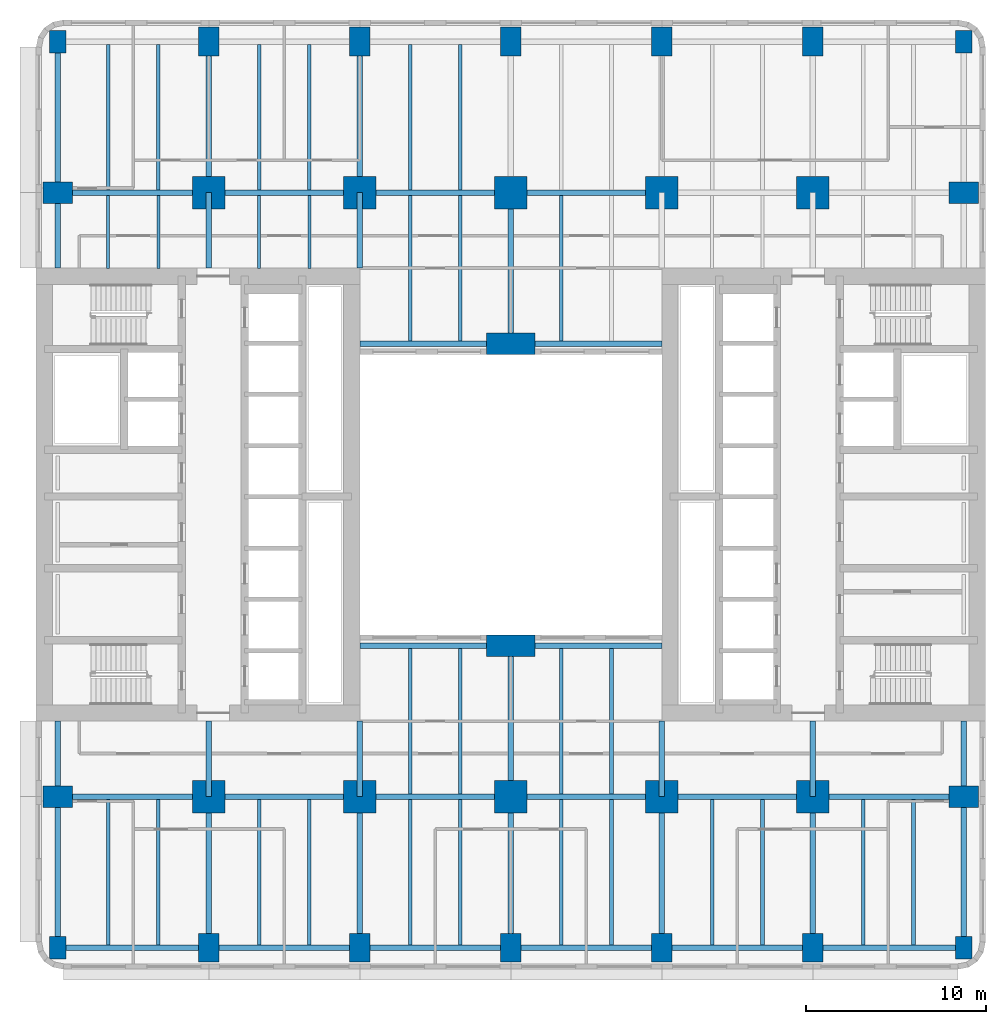
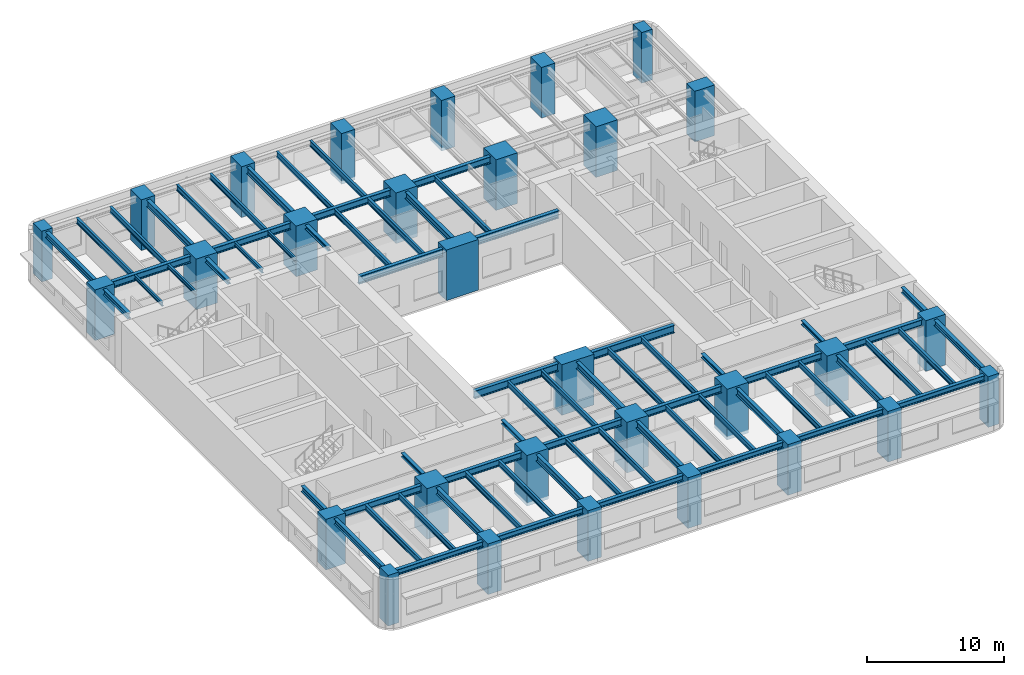
# One storey, part 1 of 14: 70 beams, 30 columns.
"""IFC4 building model written with IfcOpenShell, lengths in metres."""

import ifcopenshell
import ifcopenshell.guid

model = None  # the IFC model being written
_history = None  # IfcOwnerHistory: only IFC2X3 demands one
_inside = {}  # id of a spatial element -> (the spatial element, [elements in it])
_under = {}  # id of a project, library or spatial element -> (it, [spatial elements below it])
_declared = {}  # id of a project -> (the project, [libraries it declares])
_typed = {}  # id of a type object -> (the type object, [elements of that type])
_made_of = {}  # id of a material, layer set ... -> (it, [elements and type objects made of it])


def new_model(schema):
    """Start an empty IFC model of exactly this schema.

    Asked for "IFC4X3", IfcOpenShell would pick the latest addendum, in which some entities
    have other attributes; the version numbers below select the first issue.
    IFC2X3 requires an IfcOwnerHistory on every rooted entity: one is made here for all.
    """
    global model, _history
    if schema == "IFC4X3":
        model = ifcopenshell.file(schema_version=(4, 3, 0, 0))
    else:
        model = ifcopenshell.file(schema=schema)
    _inside.clear()
    _under.clear()
    _declared.clear()
    _typed.clear()
    _made_of.clear()
    _history = None
    if model.schema == "IFC2X3":
        org = make("IfcOrganization", Name="unknown")
        user = make(
            "IfcPersonAndOrganization",
            ThePerson=make("IfcPerson", FamilyName="unknown"),
            TheOrganization=org,
        )
        app = make(
            "IfcApplication",
            ApplicationDeveloper=org,
            Version="unknown",
            ApplicationFullName="unknown",
            ApplicationIdentifier="unknown",
        )
        _history = make(
            "IfcOwnerHistory",
            OwningUser=user,
            OwningApplication=app,
            ChangeAction="ADDED",
            CreationDate=0,
        )
    return model


def make(cls, **values):
    """One entity of the class cls with the attributes given. An attribute that is None is left unset."""
    return model.create_entity(
        cls, **{name: value for name, value in values.items() if value is not None}
    )


def rooted(cls, **values):
    """An entity with a GlobalId (a new one), such as an element, a storey or a relation."""
    return make(cls, GlobalId=ifcopenshell.guid.new(), OwnerHistory=_history, **values)


def si_unit(unit_type, name, prefix=None):
    """IfcSIUnit, for example si_unit("LENGTHUNIT", "METRE", prefix="MILLI")."""
    return make("IfcSIUnit", UnitType=unit_type, Prefix=prefix, Name=name)


def assignment(units):
    """IfcUnitAssignment: the units of a project."""
    return None if units is None else make("IfcUnitAssignment", Units=units)


def point(xyz):
    """IfcCartesianPoint."""
    return None if xyz is None else make("IfcCartesianPoint", Coordinates=xyz)


def direction(xyz):
    """IfcDirection."""
    return None if xyz is None else make("IfcDirection", DirectionRatios=xyz)


def frame(location, z_axis=None, x_axis=None):
    """IfcAxis2Placement3D, a coordinate frame: its origin and axes. An axis left out is left unset."""
    return make(
        "IfcAxis2Placement3D",
        Location=point(location),
        Axis=direction(z_axis),
        RefDirection=direction(x_axis),
    )


def frame_2d(location, x_axis=None):
    """IfcAxis2Placement2D, a coordinate frame in the plane: its origin and x axis."""
    return make(
        "IfcAxis2Placement2D", Location=point(location), RefDirection=direction(x_axis)
    )


def origin():
    """The frame at (0, 0, 0) with its axes left unset."""
    return frame((0.0, 0.0, 0.0))


def origin_2d():
    """The frame at (0, 0) in the plane with its x axis left unset."""
    return frame_2d((0.0, 0.0))


def place(relative_to, where):
    """IfcLocalPlacement: puts the frame where relative to a parent placement (None: the world)."""
    return make(
        "IfcLocalPlacement", PlacementRelTo=relative_to, RelativePlacement=where
    )


def context(
    kind, dimensions, precision=None, world=None, true_north=None, identifier=None
):
    """IfcGeometricRepresentationContext, for example the 3D "Model" context."""
    return make(
        "IfcGeometricRepresentationContext",
        ContextIdentifier=identifier,
        ContextType=kind,
        CoordinateSpaceDimension=dimensions,
        Precision=precision,
        WorldCoordinateSystem=world,
        TrueNorth=true_north,
    )


def subcontext(parent, identifier, kind, view, scale=None):
    """IfcGeometricRepresentationSubContext, for example "Body" below "Model"."""
    return make(
        "IfcGeometricRepresentationSubContext",
        ContextIdentifier=identifier,
        ContextType=kind,
        ParentContext=parent,
        TargetScale=scale,
        TargetView=view,
    )


def project(units=None, contexts=None):
    """IfcProject with its units and contexts."""
    return rooted(
        "IfcProject",
        Name="project",
        RepresentationContexts=contexts,
        UnitsInContext=assignment(units),
    )


def spatial(cls, under=None, at=None, **own):
    """A site, building, storey or space (cls), placed at a placement, below another one or the project."""
    s = rooted(cls, ObjectPlacement=at, **own)
    if under is not None:
        _under.setdefault(under.id(), (under, []))[1].append(s)
    return s


def profile(cls, at=None, kind="AREA", **sizes):
    """A parametric profile (cls). Its sizes go by their IFC names, for example OverallWidth=200.0."""
    return make(cls, ProfileType=kind, Position=at, **sizes)


def rectangle(**sizes):
    """IfcRectangleProfileDef."""
    return profile("IfcRectangleProfileDef", **sizes)


def i_section(**sizes):
    """IfcIShapeProfileDef."""
    return profile("IfcIShapeProfileDef", **sizes)


def extrude(swept, where, along, depth):
    """IfcExtrudedAreaSolid: the profile swept, set in the frame where, extruded along a direction by depth."""
    return make(
        "IfcExtrudedAreaSolid",
        SweptArea=swept,
        Position=where,
        ExtrudedDirection=direction(along),
        Depth=depth,
    )


def shape(context_of_items, identifier, shape_type, items):
    """IfcShapeRepresentation: the items that make up one representation, for example the "Body"."""
    return make(
        "IfcShapeRepresentation",
        ContextOfItems=context_of_items,
        RepresentationIdentifier=identifier,
        RepresentationType=shape_type,
        Items=items,
    )


def material(Name=None, Category=None):
    """IfcMaterial."""
    return make("IfcMaterial", Name=Name, Category=Category)


def material_profile(
    of_material, cross_section, Name=None, Category=None, Priority=None
):
    """IfcMaterialProfile: a cross section and its material."""
    return make(
        "IfcMaterialProfile",
        Name=Name,
        Material=of_material,
        Profile=cross_section,
        Priority=Priority,
        Category=Category,
    )


def profile_set(profiles, Name=None, composite=None):
    """IfcMaterialProfileSet."""
    return make(
        "IfcMaterialProfileSet",
        Name=Name,
        MaterialProfiles=profiles,
        CompositeProfile=composite,
    )


def made_of(thing, what):
    """Note that an element or type object is made of a material, layer set ...; save() writes the relation."""
    if what is not None:
        _made_of.setdefault(what.id(), (what, []))[1].append(thing)
    return thing


def type_object(cls, material=None, **own):
    """A type object (cls), such as IfcWallType, which elements share."""
    return made_of(rooted(cls, **own), material)


def element(
    cls,
    number,
    at=None,
    inside=None,
    cuts=None,
    type_object=None,
    material=None,
    context=None,
    identifier="Body",
    shape_type=None,
    held_by="IfcProductDefinitionShape",
    body=None,
    shapes=None,
    **own,
):
    """One element of the class cls, such as IfcWall. Its Tag is "e" and its number.

    at: its placement. inside: the storey or other place that contains it. cuts: it is an
    opening in that element (IfcRelVoidsElement). A single representation is given by context,
    identifier, shape_type and body (its items); several are given by shapes. held_by: the class
    of the entity that holds the representations. save() writes the other relations.
    """
    e = rooted(cls, Tag="e%d" % number, ObjectPlacement=at, **own)
    if body is not None:
        shapes = [shape(context, identifier, shape_type, body)]
    if shapes is not None:
        e.Representation = make(held_by, Representations=shapes)
    if inside is not None:
        _inside.setdefault(inside.id(), (inside, []))[1].append(e)
    if cuts is not None:
        rooted(
            "IfcRelVoidsElement", RelatingBuildingElement=cuts, RelatedOpeningElement=e
        )
    if type_object is not None:
        _typed.setdefault(type_object.id(), (type_object, []))[1].append(e)
    return made_of(e, material)


def aggregate(whole, parts):
    """IfcRelAggregates: a whole, such as a stair, and the parts it consists of."""
    return rooted("IfcRelAggregates", RelatingObject=whole, RelatedObjects=parts)


def save(model, path):
    """Write the relations noted so far, then the file.

    IfcRelAggregates (storeys below a building ...), IfcRelContainedInSpatialStructure (elements
    in a storey), IfcRelDefinesByType, IfcRelAssociatesMaterial and IfcRelDeclares: one each for
    every whole, place, type object, material and project.
    """
    for whole, parts in _under.values():
        aggregate(whole, parts)
    for where, things in _inside.values():
        rooted(
            "IfcRelContainedInSpatialStructure",
            RelatedElements=things,
            RelatingStructure=where,
        )
    for kind, things in _typed.values():
        rooted("IfcRelDefinesByType", RelatedObjects=things, RelatingType=kind)
    for what, things in _made_of.values():
        rooted("IfcRelAssociatesMaterial", RelatedObjects=things, RelatingMaterial=what)
    for by, libraries in _declared.values():
        rooted("IfcRelDeclares", RelatingContext=by, RelatedDefinitions=libraries)
    model.write(path)


model = new_model("IFC4")

# Units and contexts
model_context = context("Model", 3, precision=1e-05, world=origin(), true_north=direction((0.0, 1.0)))
body_context = subcontext(model_context, "Body", "Model", "MODEL_VIEW")
ifc_project = project(units=[si_unit("LENGTHUNIT", "METRE"), si_unit("AREAUNIT", "SQUARE_METRE"), si_unit("VOLUMEUNIT", "CUBIC_METRE"), si_unit("PLANEANGLEUNIT", "RADIAN"), si_unit("MASSUNIT", "GRAM", prefix="KILO")], contexts=[model_context])

# Site, building, storey
site_placement = place(None, origin())
site = spatial("IfcSite", under=ifc_project, at=site_placement, CompositionType="ELEMENT")
building_placement = place(site_placement, origin())
building = spatial("IfcBuilding", under=site, at=building_placement, Name="Claustro Exchange Tower", CompositionType="ELEMENT")
storey_placement = place(building_placement, frame((0.0, 0.0, 77.39990234375)))
storey = spatial("IfcBuildingStorey", under=building, at=storey_placement, Name="L17", CompositionType="ELEMENT", Elevation=77.39990234375)

# Columns
ifc_material_1 = material(Name="Concrete HA-70 (C70/85)", Category="concrete")
ifc_material_profile_1 = material_profile(ifc_material_1, rectangle(XDim=1.800048828125, YDim=1.800048828125, at=origin_2d()), Name="RC 1800x1800")
ifc_profile_set_1 = profile_set([ifc_material_profile_1], Name="Concrete HA-70 (C70/85)")
column_type_1 = type_object("IfcColumnType", Name="C14 RC 1800x1800 HA-70 column", PredefinedType="COLUMN", material=ifc_profile_set_1)
for number, where, z_axis, x_axis, name in (
    (1, (8.39990234375, 8.39990234375, 0.0), (0.0, 0.0, 1.0), (1.0, 0.0, 0.0), "Column C14 2/B L17"),
    (2, (8.39990234375, 42.0, 0.0), (0.0, 0.0, 1.0), (1.0, 0.0, 0.0), "Column C14 2/F L17"),
    (3, (16.800048828125, 8.39990234375, 0.0), (0.0, 0.0, 1.0), (1.0, 0.0, 0.0), "Column C14 3/B L17"),
    (4, (16.800048828125, 42.0, 0.0), (0.0, 0.0, 1.0), (1.0, 0.0, 0.0), "Column C14 3/F L17"),
    (5, (25.199951171875, 8.39990234375, 0.0), (0.0, 0.0, 1.0), (1.0, 0.0, 0.0), "Column C14 4/B L17"),
    (6, (25.199951171875, 42.0, 0.0), (0.0, 0.0, 1.0), (1.0, 0.0, 0.0), "Column C14 4/F L17"),
    (7, (33.60009765625, 8.39990234375, 0.0), (0.0, 0.0, 1.0), (1.0, 0.0, 0.0), "Column C14 5/B L17"),
    (8, (33.60009765625, 42.0, 0.0), (0.0, 0.0, 1.0), (1.0, 0.0, 0.0), "Column C14 5/F L17"),
    (9, (42.0, 8.39990234375, 0.0), (0.0, 0.0, 1.0), (1.0, 0.0, 0.0), "Column C14 6/B L17"),
    (10, (42.0, 42.0, 0.0), (0.0, 0.0, 1.0), (1.0, 0.0, 0.0), "Column C14 6/F L17"),
):
    element("IfcColumn", number, at=place(storey_placement, frame(where, z_axis=z_axis, x_axis=x_axis)), inside=storey, type_object=column_type_1, Name=name, PredefinedType="COLUMN", context=body_context, shape_type="SweptSolid", body=[
        extrude(rectangle(XDim=1.800048828125, YDim=1.800048828125, at=origin_2d()), origin(), (0.0, 0.0, 1.0), 4.5),
    ])
ifc_material_2 = material(Name="Concrete HA-70 (C70/85)", Category="concrete")
ifc_material_profile_2 = material_profile(ifc_material_2, rectangle(XDim=1.199951171875, YDim=1.64990234375, at=origin_2d()), Name="RC 1200x1650")
ifc_profile_set_2 = profile_set([ifc_material_profile_2], Name="Concrete HA-70 (C70/85)")
column_type_2 = type_object("IfcColumnType", Name="C19 RC 1200x1650 HA-70 perimeter column", PredefinedType="COLUMN", material=ifc_profile_set_2)
for number, where, z_axis, x_axis, name in (
    (11, (0.0, 8.39990234375, 0.0), (0.0, 0.0, 1.0), (0.0, 1.0, 0.0), "Column C19 1/B L17"),
    (12, (0.0, 42.0, 0.0), (0.0, 0.0, 1.0), (0.0, 1.0, 0.0), "Column C19 1/F L17"),
    (13, (50.39990234375, 8.39990234375, 0.0), (0.0, 0.0, 1.0), (0.0, 1.0, 0.0), "Column C19 7/B L17"),
    (14, (50.39990234375, 42.0, 0.0), (0.0, 0.0, 1.0), (0.0, 1.0, 0.0), "Column C19 7/F L17"),
):
    element("IfcColumn", number, at=place(storey_placement, frame(where, z_axis=z_axis, x_axis=x_axis)), inside=storey, type_object=column_type_2, Name=name, PredefinedType="COLUMN", context=body_context, shape_type="SweptSolid", body=[
        extrude(rectangle(XDim=1.199951171875, YDim=1.64990234375, at=origin_2d()), origin(), (0.0, 0.0, 1.0), 4.5),
    ])
ifc_material_3 = material(Name="Concrete HA-70 (C70/85)", Category="concrete")
ifc_material_profile_3 = material_profile(ifc_material_3, rectangle(XDim=1.14990234375, YDim=1.60009765625, at=origin_2d()), Name="RC 1150x1600")
ifc_profile_set_3 = profile_set([ifc_material_profile_3], Name="Concrete HA-70 (C70/85)")
column_type_3 = type_object("IfcColumnType", Name="C20 RC 1150x1600 HA-70 perimeter column", PredefinedType="COLUMN", material=ifc_profile_set_3)
for number, where, z_axis, x_axis, name in (
    (15, (8.39990234375, 0.0, 0.0), (0.0, 0.0, 1.0), (1.0, 0.0, 0.0), "Column C20 2/A L17"),
    (16, (8.39990234375, 50.39990234375, 0.0), (0.0, 0.0, 1.0), (1.0, 0.0, 0.0), "Column C20 2/G L17"),
    (17, (16.800048828125, 0.0, 0.0), (0.0, 0.0, 1.0), (1.0, 0.0, 0.0), "Column C20 3/A L17"),
    (18, (16.800048828125, 50.39990234375, 0.0), (0.0, 0.0, 1.0), (1.0, 0.0, 0.0), "Column C20 3/G L17"),
    (19, (25.199951171875, 0.0, 0.0), (0.0, 0.0, 1.0), (1.0, 0.0, 0.0), "Column C20 4/A L17"),
    (20, (25.199951171875, 50.39990234375, 0.0), (0.0, 0.0, 1.0), (1.0, 0.0, 0.0), "Column C20 4/G L17"),
    (21, (33.60009765625, 0.0, 0.0), (0.0, 0.0, 1.0), (1.0, 0.0, 0.0), "Column C20 5/A L17"),
    (22, (33.60009765625, 50.39990234375, 0.0), (0.0, 0.0, 1.0), (1.0, 0.0, 0.0), "Column C20 5/G L17"),
    (23, (42.0, 0.0, 0.0), (0.0, 0.0, 1.0), (1.0, 0.0, 0.0), "Column C20 6/A L17"),
    (24, (42.0, 50.39990234375, 0.0), (0.0, 0.0, 1.0), (1.0, 0.0, 0.0), "Column C20 6/G L17"),
):
    element("IfcColumn", number, at=place(storey_placement, frame(where, z_axis=z_axis, x_axis=x_axis)), inside=storey, type_object=column_type_3, Name=name, PredefinedType="COLUMN", context=body_context, shape_type="SweptSolid", body=[
        extrude(rectangle(XDim=1.14990234375, YDim=1.60009765625, at=origin_2d()), origin(), (0.0, 0.0, 1.0), 4.5),
    ])
ifc_material_4 = material(Name="Concrete HA-70 (C70/85)", Category="concrete")
ifc_material_profile_4 = material_profile(ifc_material_4, rectangle(XDim=2.699951171875, YDim=1.199951171875, at=origin_2d()), Name="RC 2700x1200")
ifc_profile_set_4 = profile_set([ifc_material_profile_4], Name="Concrete HA-70 (C70/85)")
column_type_4 = type_object("IfcColumnType", Name="C30 RC 2700x1200 HA-70 light well column", PredefinedType="COLUMN", material=ifc_profile_set_4)
for number, where, z_axis, x_axis, name in (
    (25, (25.199951171875, 16.800048828125, 0.0), (0.0, 0.0, 1.0), (1.0, 0.0, 0.0), "Column C30 4/C L17"),
    (26, (25.199951171875, 33.60009765625, 0.0), (0.0, 0.0, 1.0), (1.0, 0.0, 0.0), "Column C30 4/E L17"),
):
    element("IfcColumn", number, at=place(storey_placement, frame(where, z_axis=z_axis, x_axis=x_axis)), inside=storey, type_object=column_type_4, Name=name, PredefinedType="COLUMN", context=body_context, shape_type="SweptSolid", body=[
        extrude(rectangle(XDim=2.699951171875, YDim=1.199951171875, at=origin_2d()), origin(), (0.0, 0.0, 1.0), 4.5),
    ])
ifc_material_5 = material(Name="Concrete HA-70 (C70/85)", Category="concrete")
ifc_material_profile_5 = material_profile(ifc_material_5, rectangle(XDim=0.89990234375, YDim=1.25, at=origin_2d()), Name="RC 900x1250")
ifc_profile_set_5 = profile_set([ifc_material_profile_5], Name="Concrete HA-70 (C70/85)")
column_type_5 = type_object("IfcColumnType", Name="C35 RC 900x1250 HA-70 corner column", PredefinedType="COLUMN", material=ifc_profile_set_5)
for number, where, z_axis, x_axis, name in (
    (27, (0.0, 0.0, 0.0), (0.0, 0.0, 1.0), (1.0, 0.0, 0.0), "Column C35 1/A L17"),
    (28, (0.0, 50.39990234375, 0.0), (0.0, 0.0, 1.0), (1.0, 0.0, 0.0), "Column C35 1/G L17"),
    (29, (50.39990234375, 0.0, 0.0), (0.0, 0.0, 1.0), (1.0, 0.0, 0.0), "Column C35 7/A L17"),
    (30, (50.39990234375, 50.39990234375, 0.0), (0.0, 0.0, 1.0), (1.0, 0.0, 0.0), "Column C35 7/G L17"),
):
    element("IfcColumn", number, at=place(storey_placement, frame(where, z_axis=z_axis, x_axis=x_axis)), inside=storey, type_object=column_type_5, Name=name, PredefinedType="COLUMN", context=body_context, shape_type="SweptSolid", body=[
        extrude(rectangle(XDim=0.89990234375, YDim=1.25, at=origin_2d()), origin(), (0.0, 0.0, 1.0), 4.5),
    ])

# Beams
ifc_material_6 = material(Name="Steel S355", Category="steel")
ifc_material_profile_6 = material_profile(ifc_material_6, i_section(OverallWidth=0.300048828125, OverallDepth=0.60009765625, WebThickness=0.015380859375, FlangeThickness=0.030029296875, FilletRadius=0.027099609375, at=origin_2d()), Name="HE 600 B")
ifc_profile_set_6 = profile_set([ifc_material_profile_6], Name="Steel S355")
beam_type_1 = type_object("IfcBeamType", Name="B1 HE 600 B floor girder", PredefinedType="BEAM", material=ifc_profile_set_6)
for number, where, z_axis, x_axis, name in (
    (31, (8.39990234375, 0.0, 4.0400390625), (0.0, 1.0, 0.0), (-1.0, 0.0, 0.0), "Beam B1 L18"),
    (32, (8.39990234375, 42.0, 4.0400390625), (0.0, 1.0, 0.0), (-1.0, 0.0, 0.0), "Beam B1 L18"),
    (33, (16.800048828125, 0.0, 4.0400390625), (0.0, 1.0, 0.0), (-1.0, 0.0, 0.0), "Beam B1 L18"),
    (34, (16.800048828125, 42.0, 4.0400390625), (0.0, 1.0, 0.0), (-1.0, 0.0, 0.0), "Beam B1 L18"),
    (35, (25.199951171875, 0.0, 4.0400390625), (0.0, 1.0, 0.0), (-1.0, 0.0, 0.0), "Beam B1 L18"),
):
    element("IfcBeam", number, at=place(storey_placement, frame(where, z_axis=z_axis, x_axis=x_axis)), inside=storey, type_object=beam_type_1, Name=name, PredefinedType="BEAM", context=body_context, shape_type="SweptSolid", body=[
        extrude(i_section(OverallWidth=0.300048828125, OverallDepth=0.60009765625, WebThickness=0.015380859375, FlangeThickness=0.030029296875, FilletRadius=0.027099609375, at=origin_2d()), origin(), (0.0, 0.0, 1.0), 8.39990234375),
    ])
beam_1_placement = place(storey_placement, frame((25.199951171875, 8.39990234375, 4.0400390625), z_axis=(0.0, 1.0, 0.0), x_axis=(-1.0, 0.0, 0.0)))
element("IfcBeam", 36, at=beam_1_placement, inside=storey, type_object=beam_type_1, Name="Beam B1 L18", PredefinedType="BEAM", context=body_context, shape_type="SweptSolid", body=[
    extrude(i_section(OverallWidth=0.300048828125, OverallDepth=0.60009765625, WebThickness=0.015380859375, FlangeThickness=0.030029296875, FilletRadius=0.027099609375, at=origin_2d()), origin(), (0.0, 0.0, 1.0), 8.400146484375),
])
for number, where, z_axis, x_axis, name in (
    (37, (25.199951171875, 33.60009765625, 4.0400390625), (0.0, 1.0, 0.0), (-1.0, 0.0, 0.0), "Beam B1 L18"),
    (38, (33.60009765625, 0.0, 4.0400390625), (0.0, 1.0, 0.0), (-1.0, 0.0, 0.0), "Beam B1 L18"),
    (39, (42.0, 0.0, 4.0400390625), (0.0, 1.0, 0.0), (-1.0, 0.0, 0.0), "Beam B1 L18"),
    (40, (0.0, 8.39990234375, 4.0400390625), (1.0, 0.0, 0.0), (0.0, 1.0, 0.0), "Beam B1 L18"),
):
    element("IfcBeam", number, at=place(storey_placement, frame(where, z_axis=z_axis, x_axis=x_axis)), inside=storey, type_object=beam_type_1, Name=name, PredefinedType="BEAM", context=body_context, shape_type="SweptSolid", body=[
        extrude(i_section(OverallWidth=0.300048828125, OverallDepth=0.60009765625, WebThickness=0.015380859375, FlangeThickness=0.030029296875, FilletRadius=0.027099609375, at=origin_2d()), origin(), (0.0, 0.0, 1.0), 8.39990234375),
    ])
beam_2_placement = place(storey_placement, frame((8.39990234375, 8.39990234375, 4.0400390625), z_axis=(1.0, 0.0, 0.0), x_axis=(0.0, 1.0, 0.0)))
element("IfcBeam", 41, at=beam_2_placement, inside=storey, type_object=beam_type_1, Name="Beam B1 L18", PredefinedType="BEAM", context=body_context, shape_type="SweptSolid", body=[
    extrude(i_section(OverallWidth=0.300048828125, OverallDepth=0.60009765625, WebThickness=0.015380859375, FlangeThickness=0.030029296875, FilletRadius=0.027099609375, at=origin_2d()), origin(), (0.0, 0.0, 1.0), 8.400146484375),
])
beam_3_placement = place(storey_placement, frame((16.800048828125, 8.39990234375, 4.0400390625), z_axis=(1.0, 0.0, 0.0), x_axis=(0.0, 1.0, 0.0)))
element("IfcBeam", 42, at=beam_3_placement, inside=storey, type_object=beam_type_1, Name="Beam B1 L18", PredefinedType="BEAM", context=body_context, shape_type="SweptSolid", body=[
    extrude(i_section(OverallWidth=0.300048828125, OverallDepth=0.60009765625, WebThickness=0.015380859375, FlangeThickness=0.030029296875, FilletRadius=0.027099609375, at=origin_2d()), origin(), (0.0, 0.0, 1.0), 8.39990234375),
])
beam_4_placement = place(storey_placement, frame((25.199951171875, 8.39990234375, 4.0400390625), z_axis=(1.0, 0.0, 0.0), x_axis=(0.0, 1.0, 0.0)))
element("IfcBeam", 43, at=beam_4_placement, inside=storey, type_object=beam_type_1, Name="Beam B1 L18", PredefinedType="BEAM", context=body_context, shape_type="SweptSolid", body=[
    extrude(i_section(OverallWidth=0.300048828125, OverallDepth=0.60009765625, WebThickness=0.015380859375, FlangeThickness=0.030029296875, FilletRadius=0.027099609375, at=origin_2d()), origin(), (0.0, 0.0, 1.0), 8.400146484375),
])
for number, where, z_axis, x_axis, name in (
    (44, (33.60009765625, 8.39990234375, 4.0400390625), (1.0, 0.0, 0.0), (0.0, 1.0, 0.0), "Beam B1 L18"),
    (45, (42.0, 8.39990234375, 4.0400390625), (1.0, 0.0, 0.0), (0.0, 1.0, 0.0), "Beam B1 L18"),
    (46, (0.0, 42.0, 4.0400390625), (1.0, 0.0, 0.0), (0.0, 1.0, 0.0), "Beam B1 L18"),
):
    element("IfcBeam", number, at=place(storey_placement, frame(where, z_axis=z_axis, x_axis=x_axis)), inside=storey, type_object=beam_type_1, Name=name, PredefinedType="BEAM", context=body_context, shape_type="SweptSolid", body=[
        extrude(i_section(OverallWidth=0.300048828125, OverallDepth=0.60009765625, WebThickness=0.015380859375, FlangeThickness=0.030029296875, FilletRadius=0.027099609375, at=origin_2d()), origin(), (0.0, 0.0, 1.0), 8.39990234375),
    ])
beam_5_placement = place(storey_placement, frame((8.39990234375, 42.0, 4.0400390625), z_axis=(1.0, 0.0, 0.0), x_axis=(0.0, 1.0, 0.0)))
element("IfcBeam", 47, at=beam_5_placement, inside=storey, type_object=beam_type_1, Name="Beam B1 L18", PredefinedType="BEAM", context=body_context, shape_type="SweptSolid", body=[
    extrude(i_section(OverallWidth=0.300048828125, OverallDepth=0.60009765625, WebThickness=0.015380859375, FlangeThickness=0.030029296875, FilletRadius=0.027099609375, at=origin_2d()), origin(), (0.0, 0.0, 1.0), 8.400146484375),
])
beam_6_placement = place(storey_placement, frame((16.800048828125, 42.0, 4.0400390625), z_axis=(1.0, 0.0, 0.0), x_axis=(0.0, 1.0, 0.0)))
element("IfcBeam", 48, at=beam_6_placement, inside=storey, type_object=beam_type_1, Name="Beam B1 L18", PredefinedType="BEAM", context=body_context, shape_type="SweptSolid", body=[
    extrude(i_section(OverallWidth=0.300048828125, OverallDepth=0.60009765625, WebThickness=0.015380859375, FlangeThickness=0.030029296875, FilletRadius=0.027099609375, at=origin_2d()), origin(), (0.0, 0.0, 1.0), 8.39990234375),
])
beam_7_placement = place(storey_placement, frame((25.199951171875, 42.0, 4.0400390625), z_axis=(1.0, 0.0, 0.0), x_axis=(0.0, 1.0, 0.0)))
element("IfcBeam", 49, at=beam_7_placement, inside=storey, type_object=beam_type_1, Name="Beam B1 L18", PredefinedType="BEAM", context=body_context, shape_type="SweptSolid", body=[
    extrude(i_section(OverallWidth=0.300048828125, OverallDepth=0.60009765625, WebThickness=0.015380859375, FlangeThickness=0.030029296875, FilletRadius=0.027099609375, at=origin_2d()), origin(), (0.0, 0.0, 1.0), 8.400146484375),
])
ifc_material_7 = material(Name="Steel S355", Category="steel")
ifc_material_profile_7 = material_profile(ifc_material_7, i_section(OverallWidth=0.300048828125, OverallDepth=0.68994140625, WebThickness=0.014404296875, FlangeThickness=0.027099609375, FilletRadius=0.027099609375, at=origin_2d()), Name="HE 700 A")
ifc_profile_set_7 = profile_set([ifc_material_profile_7], Name="Steel S355")
beam_type_2 = type_object("IfcBeamType", Name="B13 HE 700 A light well edge girder", PredefinedType="BEAM", material=ifc_profile_set_7)
beam_8_placement = place(storey_placement, frame((16.800048828125, 16.800048828125, 3.9951171875), z_axis=(1.0, 0.0, 0.0), x_axis=(0.0, 1.0, 0.0)))
element("IfcBeam", 50, at=beam_8_placement, inside=storey, type_object=beam_type_2, Name="Beam B13 L18", PredefinedType="BEAM", context=body_context, shape_type="SweptSolid", body=[
    extrude(i_section(OverallWidth=0.300048828125, OverallDepth=0.68994140625, WebThickness=0.014404296875, FlangeThickness=0.027099609375, FilletRadius=0.027099609375, at=origin_2d()), origin(), (0.0, 0.0, 1.0), 8.39990234375),
])
beam_9_placement = place(storey_placement, frame((25.199951171875, 16.800048828125, 3.9951171875), z_axis=(1.0, 0.0, 0.0), x_axis=(0.0, 1.0, 0.0)))
element("IfcBeam", 51, at=beam_9_placement, inside=storey, type_object=beam_type_2, Name="Beam B13 L18", PredefinedType="BEAM", context=body_context, shape_type="SweptSolid", body=[
    extrude(i_section(OverallWidth=0.300048828125, OverallDepth=0.68994140625, WebThickness=0.014404296875, FlangeThickness=0.027099609375, FilletRadius=0.027099609375, at=origin_2d()), origin(), (0.0, 0.0, 1.0), 8.400146484375),
])
beam_10_placement = place(storey_placement, frame((16.800048828125, 33.60009765625, 3.9951171875), z_axis=(1.0, 0.0, 0.0), x_axis=(0.0, 1.0, 0.0)))
element("IfcBeam", 52, at=beam_10_placement, inside=storey, type_object=beam_type_2, Name="Beam B13 L18", PredefinedType="BEAM", context=body_context, shape_type="SweptSolid", body=[
    extrude(i_section(OverallWidth=0.300048828125, OverallDepth=0.68994140625, WebThickness=0.014404296875, FlangeThickness=0.027099609375, FilletRadius=0.027099609375, at=origin_2d()), origin(), (0.0, 0.0, 1.0), 8.39990234375),
])
beam_11_placement = place(storey_placement, frame((25.199951171875, 33.60009765625, 3.9951171875), z_axis=(1.0, 0.0, 0.0), x_axis=(0.0, 1.0, 0.0)))
element("IfcBeam", 53, at=beam_11_placement, inside=storey, type_object=beam_type_2, Name="Beam B13 L18", PredefinedType="BEAM", context=body_context, shape_type="SweptSolid", body=[
    extrude(i_section(OverallWidth=0.300048828125, OverallDepth=0.68994140625, WebThickness=0.014404296875, FlangeThickness=0.027099609375, FilletRadius=0.027099609375, at=origin_2d()), origin(), (0.0, 0.0, 1.0), 8.400146484375),
])
ifc_material_8 = material(Name="Steel S355", Category="steel")
ifc_material_profile_8 = material_profile(ifc_material_8, i_section(OverallWidth=0.169921875, OverallDepth=0.360107421875, WebThickness=0.008056640625, FlangeThickness=0.0126953125, FilletRadius=0.01806640625, at=origin_2d()), Name="IPE 360")
ifc_profile_set_8 = profile_set([ifc_material_profile_8], Name="Steel S355")
beam_type_3 = type_object("IfcBeamType", Name="B16 IPE 360 short-span beam", PredefinedType="BEAM", material=ifc_profile_set_8)
for number, where, z_axis, x_axis, name in (
    (54, (2.800048828125, 37.7900390625, 4.16015625), (0.0, 1.0, 0.0), (-1.0, 0.0, 0.0), "Beam B16 L18"),
    (55, (5.60009765625, 37.7900390625, 4.16015625), (0.0, 1.0, 0.0), (-1.0, 0.0, 0.0), "Beam B16 L18"),
    (56, (11.199951171875, 37.7900390625, 4.16015625), (0.0, 1.0, 0.0), (-1.0, 0.0, 0.0), "Beam B16 L18"),
    (57, (14.0, 37.7900390625, 4.16015625), (0.0, 1.0, 0.0), (-1.0, 0.0, 0.0), "Beam B16 L18"),
):
    element("IfcBeam", number, at=place(storey_placement, frame(where, z_axis=z_axis, x_axis=x_axis)), inside=storey, type_object=beam_type_3, Name=name, PredefinedType="BEAM", context=body_context, shape_type="SweptSolid", body=[
        extrude(i_section(OverallWidth=0.169921875, OverallDepth=0.360107421875, WebThickness=0.008056640625, FlangeThickness=0.0126953125, FilletRadius=0.01806640625, at=origin_2d()), origin(), (0.0, 0.0, 1.0), 4.06005859375),
    ])
ifc_material_9 = material(Name="Steel S355", Category="steel")
ifc_material_profile_9 = material_profile(ifc_material_9, i_section(OverallWidth=0.199951171875, OverallDepth=0.5, WebThickness=0.01025390625, FlangeThickness=0.01611328125, FilletRadius=0.02099609375, at=origin_2d()), Name="IPE 500")
ifc_profile_set_9 = profile_set([ifc_material_profile_9], Name="Steel S355")
beam_type_4 = type_object("IfcBeamType", Name="B2 IPE 500 secondary beam", PredefinedType="BEAM", material=ifc_profile_set_9)
for number, where, z_axis, x_axis, name in (
    (58, (2.800048828125, 0.14990234375, 4.090087890625), (0.0, 1.0, 0.0), (-1.0, 0.0, 0.0), "Beam B2 L18"),
    (59, (5.60009765625, 0.14990234375, 4.090087890625), (0.0, 1.0, 0.0), (-1.0, 0.0, 0.0), "Beam B2 L18"),
    (60, (2.800048828125, 42.14990234375, 4.090087890625), (0.0, 1.0, 0.0), (-1.0, 0.0, 0.0), "Beam B2 L18"),
    (61, (5.60009765625, 42.14990234375, 4.090087890625), (0.0, 1.0, 0.0), (-1.0, 0.0, 0.0), "Beam B2 L18"),
    (62, (11.199951171875, 0.14990234375, 4.090087890625), (0.0, 1.0, 0.0), (-1.0, 0.0, 0.0), "Beam B2 L18"),
    (63, (14.0, 0.14990234375, 4.090087890625), (0.0, 1.0, 0.0), (-1.0, 0.0, 0.0), "Beam B2 L18"),
    (64, (11.199951171875, 42.14990234375, 4.090087890625), (0.0, 1.0, 0.0), (-1.0, 0.0, 0.0), "Beam B2 L18"),
    (65, (14.0, 42.14990234375, 4.090087890625), (0.0, 1.0, 0.0), (-1.0, 0.0, 0.0), "Beam B2 L18"),
    (66, (19.60009765625, 0.14990234375, 4.090087890625), (0.0, 1.0, 0.0), (-1.0, 0.0, 0.0), "Beam B2 L18"),
    (67, (22.39990234375, 0.14990234375, 4.090087890625), (0.0, 1.0, 0.0), (-1.0, 0.0, 0.0), "Beam B2 L18"),
):
    element("IfcBeam", number, at=place(storey_placement, frame(where, z_axis=z_axis, x_axis=x_axis)), inside=storey, type_object=beam_type_4, Name=name, PredefinedType="BEAM", context=body_context, shape_type="SweptSolid", body=[
        extrude(i_section(OverallWidth=0.199951171875, OverallDepth=0.5, WebThickness=0.01025390625, FlangeThickness=0.01611328125, FilletRadius=0.02099609375, at=origin_2d()), origin(), (0.0, 0.0, 1.0), 8.10009765625),
    ])
for number, where, z_axis, x_axis, name in (
    (68, (19.60009765625, 8.550048828125, 4.090087890625), (0.0, 1.0, 0.0), (-1.0, 0.0, 0.0), "Beam B2 L18"),
    (69, (22.39990234375, 8.550048828125, 4.090087890625), (0.0, 1.0, 0.0), (-1.0, 0.0, 0.0), "Beam B2 L18"),
):
    element("IfcBeam", number, at=place(storey_placement, frame(where, z_axis=z_axis, x_axis=x_axis)), inside=storey, type_object=beam_type_4, Name=name, PredefinedType="BEAM", context=body_context, shape_type="SweptSolid", body=[
        extrude(i_section(OverallWidth=0.199951171875, OverallDepth=0.5, WebThickness=0.01025390625, FlangeThickness=0.01611328125, FilletRadius=0.02099609375, at=origin_2d()), origin(), (0.0, 0.0, 1.0), 8.099853515625),
    ])
for number, where, z_axis, x_axis, name in (
    (70, (19.60009765625, 33.75, 4.090087890625), (0.0, 1.0, 0.0), (-1.0, 0.0, 0.0), "Beam B2 L18"),
    (71, (22.39990234375, 33.75, 4.090087890625), (0.0, 1.0, 0.0), (-1.0, 0.0, 0.0), "Beam B2 L18"),
    (72, (19.60009765625, 42.14990234375, 4.090087890625), (0.0, 1.0, 0.0), (-1.0, 0.0, 0.0), "Beam B2 L18"),
    (73, (22.39990234375, 42.14990234375, 4.090087890625), (0.0, 1.0, 0.0), (-1.0, 0.0, 0.0), "Beam B2 L18"),
    (74, (28.0, 0.14990234375, 4.090087890625), (0.0, 1.0, 0.0), (-1.0, 0.0, 0.0), "Beam B2 L18"),
    (75, (30.800048828125, 0.14990234375, 4.090087890625), (0.0, 1.0, 0.0), (-1.0, 0.0, 0.0), "Beam B2 L18"),
):
    element("IfcBeam", number, at=place(storey_placement, frame(where, z_axis=z_axis, x_axis=x_axis)), inside=storey, type_object=beam_type_4, Name=name, PredefinedType="BEAM", context=body_context, shape_type="SweptSolid", body=[
        extrude(i_section(OverallWidth=0.199951171875, OverallDepth=0.5, WebThickness=0.01025390625, FlangeThickness=0.01611328125, FilletRadius=0.02099609375, at=origin_2d()), origin(), (0.0, 0.0, 1.0), 8.10009765625),
    ])
for number, where, z_axis, x_axis, name in (
    (76, (28.0, 8.550048828125, 4.090087890625), (0.0, 1.0, 0.0), (-1.0, 0.0, 0.0), "Beam B2 L18"),
    (77, (30.800048828125, 8.550048828125, 4.090087890625), (0.0, 1.0, 0.0), (-1.0, 0.0, 0.0), "Beam B2 L18"),
):
    element("IfcBeam", number, at=place(storey_placement, frame(where, z_axis=z_axis, x_axis=x_axis)), inside=storey, type_object=beam_type_4, Name=name, PredefinedType="BEAM", context=body_context, shape_type="SweptSolid", body=[
        extrude(i_section(OverallWidth=0.199951171875, OverallDepth=0.5, WebThickness=0.01025390625, FlangeThickness=0.01611328125, FilletRadius=0.02099609375, at=origin_2d()), origin(), (0.0, 0.0, 1.0), 8.099853515625),
    ])
for number, where, z_axis, x_axis, name in (
    (78, (28.0, 33.75, 4.090087890625), (0.0, 1.0, 0.0), (-1.0, 0.0, 0.0), "Beam B2 L18"),
    (79, (36.39990234375, 0.14990234375, 4.090087890625), (0.0, 1.0, 0.0), (-1.0, 0.0, 0.0), "Beam B2 L18"),
    (80, (39.199951171875, 0.14990234375, 4.090087890625), (0.0, 1.0, 0.0), (-1.0, 0.0, 0.0), "Beam B2 L18"),
    (81, (44.800048828125, 0.14990234375, 4.090087890625), (0.0, 1.0, 0.0), (-1.0, 0.0, 0.0), "Beam B2 L18"),
    (82, (47.60009765625, 0.14990234375, 4.090087890625), (0.0, 1.0, 0.0), (-1.0, 0.0, 0.0), "Beam B2 L18"),
):
    element("IfcBeam", number, at=place(storey_placement, frame(where, z_axis=z_axis, x_axis=x_axis)), inside=storey, type_object=beam_type_4, Name=name, PredefinedType="BEAM", context=body_context, shape_type="SweptSolid", body=[
        extrude(i_section(OverallWidth=0.199951171875, OverallDepth=0.5, WebThickness=0.01025390625, FlangeThickness=0.01611328125, FilletRadius=0.02099609375, at=origin_2d()), origin(), (0.0, 0.0, 1.0), 8.10009765625),
    ])
ifc_material_10 = material(Name="Steel S355", Category="steel")
ifc_material_profile_10 = material_profile(ifc_material_10, i_section(OverallWidth=0.300048828125, OverallDepth=0.360107421875, WebThickness=0.012451171875, FlangeThickness=0.0224609375, FilletRadius=0.027099609375, at=origin_2d()), Name="HE 360 B")
ifc_profile_set_10 = profile_set([ifc_material_profile_10], Name="Steel S355")
beam_type_5 = type_object("IfcBeamType", Name="B29 HE 360 B column to core link beam", PredefinedType="BEAM", material=ifc_profile_set_10)
beam_12_placement = place(storey_placement, frame((8.39990234375, 8.39990234375, 4.16015625), z_axis=(0.0, 1.0, 0.0), x_axis=(-1.0, 0.0, 0.0)))
element("IfcBeam", 83, at=beam_12_placement, inside=storey, type_object=beam_type_5, Name="Beam B29 L18", PredefinedType="BEAM", context=body_context, shape_type="SweptSolid", body=[
    extrude(i_section(OverallWidth=0.300048828125, OverallDepth=0.360107421875, WebThickness=0.012451171875, FlangeThickness=0.0224609375, FilletRadius=0.027099609375, at=origin_2d()), origin(), (0.0, 0.0, 1.0), 4.2001953125),
])
beam_13_placement = place(storey_placement, frame((8.39990234375, 37.800048828125, 4.16015625), z_axis=(0.0, 1.0, 0.0), x_axis=(-1.0, 0.0, 0.0)))
element("IfcBeam", 84, at=beam_13_placement, inside=storey, type_object=beam_type_5, Name="Beam B29 L18", PredefinedType="BEAM", context=body_context, shape_type="SweptSolid", body=[
    extrude(i_section(OverallWidth=0.300048828125, OverallDepth=0.360107421875, WebThickness=0.012451171875, FlangeThickness=0.0224609375, FilletRadius=0.027099609375, at=origin_2d()), origin(), (0.0, 0.0, 1.0), 4.199951171875),
])
beam_14_placement = place(storey_placement, frame((16.800048828125, 8.39990234375, 4.16015625), z_axis=(0.0, 1.0, 0.0), x_axis=(-1.0, 0.0, 0.0)))
element("IfcBeam", 85, at=beam_14_placement, inside=storey, type_object=beam_type_5, Name="Beam B29 L18", PredefinedType="BEAM", context=body_context, shape_type="SweptSolid", body=[
    extrude(i_section(OverallWidth=0.300048828125, OverallDepth=0.360107421875, WebThickness=0.012451171875, FlangeThickness=0.0224609375, FilletRadius=0.027099609375, at=origin_2d()), origin(), (0.0, 0.0, 1.0), 4.2001953125),
])
beam_15_placement = place(storey_placement, frame((16.800048828125, 37.800048828125, 4.16015625), z_axis=(0.0, 1.0, 0.0), x_axis=(-1.0, 0.0, 0.0)))
element("IfcBeam", 86, at=beam_15_placement, inside=storey, type_object=beam_type_5, Name="Beam B29 L18", PredefinedType="BEAM", context=body_context, shape_type="SweptSolid", body=[
    extrude(i_section(OverallWidth=0.300048828125, OverallDepth=0.360107421875, WebThickness=0.012451171875, FlangeThickness=0.0224609375, FilletRadius=0.027099609375, at=origin_2d()), origin(), (0.0, 0.0, 1.0), 4.199951171875),
])
for number, where, z_axis, x_axis, name in (
    (87, (33.60009765625, 8.39990234375, 4.16015625), (0.0, 1.0, 0.0), (-1.0, 0.0, 0.0), "Beam B29 L18"),
    (88, (42.0, 8.39990234375, 4.16015625), (0.0, 1.0, 0.0), (-1.0, 0.0, 0.0), "Beam B29 L18"),
):
    element("IfcBeam", number, at=place(storey_placement, frame(where, z_axis=z_axis, x_axis=x_axis)), inside=storey, type_object=beam_type_5, Name=name, PredefinedType="BEAM", context=body_context, shape_type="SweptSolid", body=[
        extrude(i_section(OverallWidth=0.300048828125, OverallDepth=0.360107421875, WebThickness=0.012451171875, FlangeThickness=0.0224609375, FilletRadius=0.027099609375, at=origin_2d()), origin(), (0.0, 0.0, 1.0), 4.2001953125),
    ])
ifc_material_11 = material(Name="Steel S355", Category="steel")
ifc_material_profile_11 = material_profile(ifc_material_11, i_section(OverallWidth=0.300048828125, OverallDepth=0.5, WebThickness=0.014404296875, FlangeThickness=0.028076171875, FilletRadius=0.027099609375, at=origin_2d()), Name="HE 500 B")
ifc_profile_set_11 = profile_set([ifc_material_profile_11], Name="Steel S355")
beam_type_6 = type_object("IfcBeamType", Name="B3 HE 500 B spandrel edge girder", PredefinedType="SPANDREL", material=ifc_profile_set_11)
beam_16_placement = place(storey_placement, frame((0.0, 0.0, 4.090087890625), z_axis=(0.0, 1.0, 0.0), x_axis=(-1.0, 0.0, 0.0)))
element("IfcBeam", 89, at=beam_16_placement, inside=storey, type_object=beam_type_6, Name="Beam B3 L18", PredefinedType="SPANDREL", context=body_context, shape_type="SweptSolid", body=[
    extrude(i_section(OverallWidth=0.300048828125, OverallDepth=0.5, WebThickness=0.014404296875, FlangeThickness=0.028076171875, FilletRadius=0.027099609375, at=origin_2d()), origin(), (0.0, 0.0, 1.0), 8.39990234375),
])
beam_17_placement = place(storey_placement, frame((0.0, 8.39990234375, 4.090087890625), z_axis=(0.0, 1.0, 0.0), x_axis=(-1.0, 0.0, 0.0)))
element("IfcBeam", 90, at=beam_17_placement, inside=storey, type_object=beam_type_6, Name="Beam B3 L18", PredefinedType="SPANDREL", context=body_context, shape_type="SweptSolid", body=[
    extrude(i_section(OverallWidth=0.300048828125, OverallDepth=0.5, WebThickness=0.014404296875, FlangeThickness=0.028076171875, FilletRadius=0.027099609375, at=origin_2d()), origin(), (0.0, 0.0, 1.0), 4.2001953125),
])
beam_18_placement = place(storey_placement, frame((0.0, 37.800048828125, 4.090087890625), z_axis=(0.0, 1.0, 0.0), x_axis=(-1.0, 0.0, 0.0)))
element("IfcBeam", 91, at=beam_18_placement, inside=storey, type_object=beam_type_6, Name="Beam B3 L18", PredefinedType="SPANDREL", context=body_context, shape_type="SweptSolid", body=[
    extrude(i_section(OverallWidth=0.300048828125, OverallDepth=0.5, WebThickness=0.014404296875, FlangeThickness=0.028076171875, FilletRadius=0.027099609375, at=origin_2d()), origin(), (0.0, 0.0, 1.0), 4.199951171875),
])
for number, where, z_axis, x_axis, name in (
    (92, (0.0, 42.0, 4.090087890625), (0.0, 1.0, 0.0), (-1.0, 0.0, 0.0), "Beam B3 L18"),
    (93, (50.39990234375, 0.0, 4.090087890625), (0.0, 1.0, 0.0), (-1.0, 0.0, 0.0), "Beam B3 L18"),
):
    element("IfcBeam", number, at=place(storey_placement, frame(where, z_axis=z_axis, x_axis=x_axis)), inside=storey, type_object=beam_type_6, Name=name, PredefinedType="SPANDREL", context=body_context, shape_type="SweptSolid", body=[
        extrude(i_section(OverallWidth=0.300048828125, OverallDepth=0.5, WebThickness=0.014404296875, FlangeThickness=0.028076171875, FilletRadius=0.027099609375, at=origin_2d()), origin(), (0.0, 0.0, 1.0), 8.39990234375),
    ])
beam_19_placement = place(storey_placement, frame((50.39990234375, 8.39990234375, 4.090087890625), z_axis=(0.0, 1.0, 0.0), x_axis=(-1.0, 0.0, 0.0)))
element("IfcBeam", 94, at=beam_19_placement, inside=storey, type_object=beam_type_6, Name="Beam B3 L18", PredefinedType="SPANDREL", context=body_context, shape_type="SweptSolid", body=[
    extrude(i_section(OverallWidth=0.300048828125, OverallDepth=0.5, WebThickness=0.014404296875, FlangeThickness=0.028076171875, FilletRadius=0.027099609375, at=origin_2d()), origin(), (0.0, 0.0, 1.0), 4.2001953125),
])
beam_20_placement = place(storey_placement, frame((0.0, 0.0, 4.090087890625), z_axis=(1.0, 0.0, 0.0), x_axis=(0.0, 1.0, 0.0)))
element("IfcBeam", 95, at=beam_20_placement, inside=storey, type_object=beam_type_6, Name="Beam B3 L18", PredefinedType="SPANDREL", context=body_context, shape_type="SweptSolid", body=[
    extrude(i_section(OverallWidth=0.300048828125, OverallDepth=0.5, WebThickness=0.014404296875, FlangeThickness=0.028076171875, FilletRadius=0.027099609375, at=origin_2d()), origin(), (0.0, 0.0, 1.0), 8.39990234375),
])
beam_21_placement = place(storey_placement, frame((8.39990234375, 0.0, 4.090087890625), z_axis=(1.0, 0.0, 0.0), x_axis=(0.0, 1.0, 0.0)))
element("IfcBeam", 96, at=beam_21_placement, inside=storey, type_object=beam_type_6, Name="Beam B3 L18", PredefinedType="SPANDREL", context=body_context, shape_type="SweptSolid", body=[
    extrude(i_section(OverallWidth=0.300048828125, OverallDepth=0.5, WebThickness=0.014404296875, FlangeThickness=0.028076171875, FilletRadius=0.027099609375, at=origin_2d()), origin(), (0.0, 0.0, 1.0), 8.400146484375),
])
beam_22_placement = place(storey_placement, frame((16.800048828125, 0.0, 4.090087890625), z_axis=(1.0, 0.0, 0.0), x_axis=(0.0, 1.0, 0.0)))
element("IfcBeam", 97, at=beam_22_placement, inside=storey, type_object=beam_type_6, Name="Beam B3 L18", PredefinedType="SPANDREL", context=body_context, shape_type="SweptSolid", body=[
    extrude(i_section(OverallWidth=0.300048828125, OverallDepth=0.5, WebThickness=0.014404296875, FlangeThickness=0.028076171875, FilletRadius=0.027099609375, at=origin_2d()), origin(), (0.0, 0.0, 1.0), 8.39990234375),
])
beam_23_placement = place(storey_placement, frame((25.199951171875, 0.0, 4.090087890625), z_axis=(1.0, 0.0, 0.0), x_axis=(0.0, 1.0, 0.0)))
element("IfcBeam", 98, at=beam_23_placement, inside=storey, type_object=beam_type_6, Name="Beam B3 L18", PredefinedType="SPANDREL", context=body_context, shape_type="SweptSolid", body=[
    extrude(i_section(OverallWidth=0.300048828125, OverallDepth=0.5, WebThickness=0.014404296875, FlangeThickness=0.028076171875, FilletRadius=0.027099609375, at=origin_2d()), origin(), (0.0, 0.0, 1.0), 8.400146484375),
])
for number, where, z_axis, x_axis, name in (
    (99, (33.60009765625, 0.0, 4.090087890625), (1.0, 0.0, 0.0), (0.0, 1.0, 0.0), "Beam B3 L18"),
    (100, (42.0, 0.0, 4.090087890625), (1.0, 0.0, 0.0), (0.0, 1.0, 0.0), "Beam B3 L18"),
):
    element("IfcBeam", number, at=place(storey_placement, frame(where, z_axis=z_axis, x_axis=x_axis)), inside=storey, type_object=beam_type_6, Name=name, PredefinedType="SPANDREL", context=body_context, shape_type="SweptSolid", body=[
        extrude(i_section(OverallWidth=0.300048828125, OverallDepth=0.5, WebThickness=0.014404296875, FlangeThickness=0.028076171875, FilletRadius=0.027099609375, at=origin_2d()), origin(), (0.0, 0.0, 1.0), 8.39990234375),
    ])

save(model, "model.ifc")
